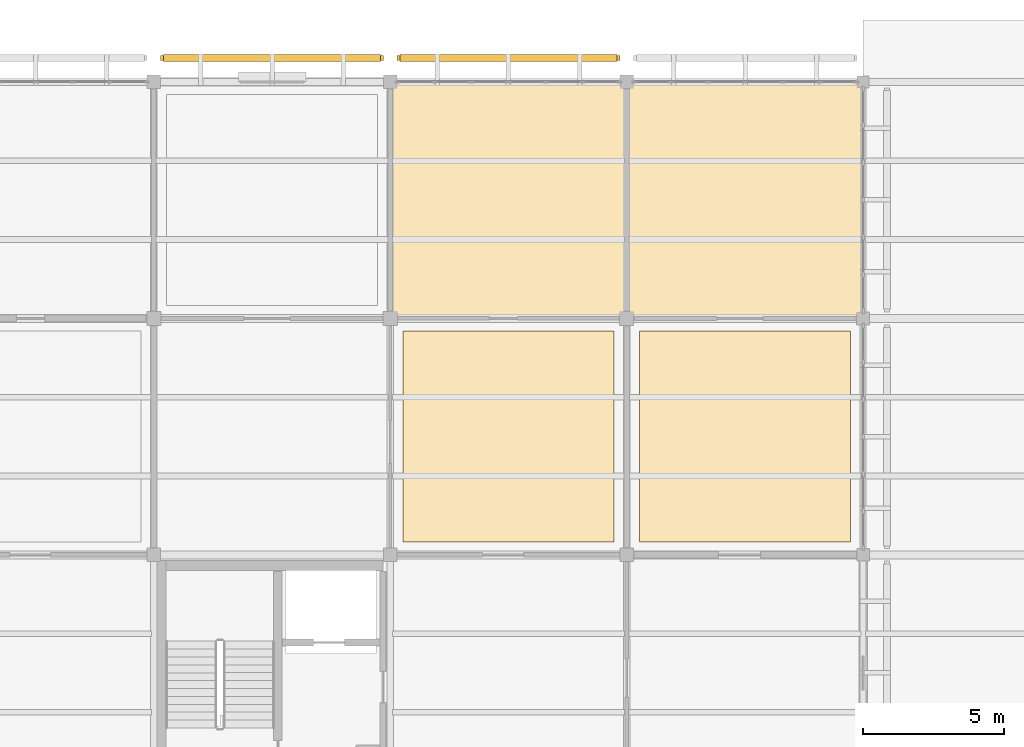
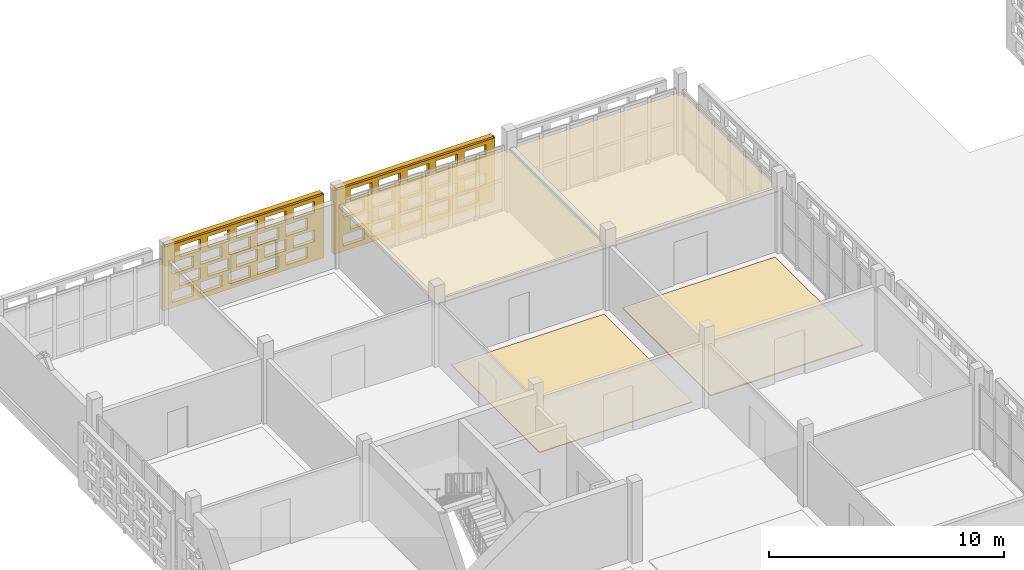
# One storey, part 135 of 166: 6 coverings, 2 shading devices, 40 openings.
"""IFC4 building model written with IfcOpenShell, lengths in metres."""

from ifc_helpers import new_model, si_unit, direction, frame, frame_2d, origin, origin_2d, place, context, subcontext, project, spatial, rectangle, extrude, material, layer, layer_set, type_object, element, save


model = new_model("IFC4")

# Units and contexts
model_context = context("Model", 3, precision=1e-05, world=origin(), true_north=direction((0.0, 1.0)))
body_context = subcontext(model_context, "Body", "Model", "MODEL_VIEW")
ifc_project = project(units=[si_unit("LENGTHUNIT", "METRE"), si_unit("AREAUNIT", "SQUARE_METRE"), si_unit("VOLUMEUNIT", "CUBIC_METRE"), si_unit("PLANEANGLEUNIT", "RADIAN"), si_unit("MASSUNIT", "GRAM", prefix="KILO")], contexts=[model_context])

# Site, building, storey
site_placement = place(None, origin())
site = spatial("IfcSite", under=ifc_project, at=site_placement, CompositionType="ELEMENT")
building_placement = place(site_placement, origin())
building = spatial("IfcBuilding", under=site, at=building_placement, Name="Varnapada Polytechnic", CompositionType="ELEMENT")
storey_placement = place(building_placement, frame((0.0, 0.0, 9.60009765625)))
storey = spatial("IfcBuildingStorey", under=building, at=storey_placement, Name="L02", CompositionType="ELEMENT", Elevation=9.60009765625)

# Coverings
ifc_material_1 = material(Name="Anti-Static Raised Laboratory Flooring")
ifc_layer_1 = layer(ifc_material_1, 0.06005859375)
ifc_layer_set_1 = layer_set([ifc_layer_1], Name="Anti-Static Raised Laboratory Flooring")
covering_type_1 = type_object("IfcCoveringType", Name="Floor Finish FLR-02", PredefinedType="FLOORING", material=ifc_layer_set_1)
covering_1_placement = place(storey_placement, frame((29.39990234375, 113.39990234375, -0.000244140625), z_axis=(0.0, 0.0, 1.0), x_axis=(1.0, 0.0, 0.0)))
element("IfcCovering", 1, at=covering_1_placement, inside=storey, type_object=covering_type_1, Name="L02 floor finish panel (4,14)", PredefinedType="FLOORING", context=body_context, shape_type="SweptSolid", body=[
    extrude(rectangle(XDim=7.5, YDim=7.5, at=origin_2d()), origin(), (0.0, 0.0, 1.0), 0.06005859375),
])
ifc_material_2 = material(Name="Acoustic Rubber Seminar Flooring")
ifc_layer_2 = layer(ifc_material_2, 0.0400390625)
ifc_layer_set_2 = layer_set([ifc_layer_2], Name="Acoustic Rubber Seminar Flooring")
covering_type_2 = type_object("IfcCoveringType", Name="Floor Finish FLR-06", PredefinedType="FLOORING", material=ifc_layer_set_2)
covering_2_placement = place(storey_placement, frame((21.0, 113.39990234375, 0.0), z_axis=(0.0, 0.0, 1.0), x_axis=(1.0, 0.0, 0.0)))
element("IfcCovering", 2, at=covering_2_placement, inside=storey, type_object=covering_type_2, Name="L02 floor finish panel (3,14)", PredefinedType="FLOORING", context=body_context, shape_type="SweptSolid", body=[
    extrude(rectangle(XDim=7.5, YDim=7.5, at=origin_2d()), origin(), (0.0, 0.0, 1.0), 0.0400390625),
])
ifc_material_3 = material(Name="Perforated Timber Slatted Baffle Ceiling", Category="wood")
ifc_layer_3 = layer(ifc_material_3, 0.050048828125)
ifc_layer_set_3 = layer_set([ifc_layer_3], Name="Perforated Timber Slatted Baffle Ceiling")
covering_type_3 = type_object("IfcCoveringType", Name="Suspended Ceiling CLG-02", PredefinedType="CEILING", material=ifc_layer_set_3)
for number, where, z_axis, x_axis, name in (
    (3, (21.0, 121.800048828125, 3.02490234375), (0.0, 0.0, 1.0), (1.0, 0.0, 0.0), "L02 suspended acoustic ceiling (3,15)"),
    (4, (29.39990234375, 121.800048828125, 3.02490234375), (0.0, 0.0, 1.0), (1.0, 0.0, 0.0), "L02 suspended acoustic ceiling (4,15)"),
):
    element("IfcCovering", number, at=place(storey_placement, frame(where, z_axis=z_axis, x_axis=x_axis)), inside=storey, type_object=covering_type_3, Name=name, PredefinedType="CEILING", context=body_context, shape_type="SweptSolid", body=[
        extrude(rectangle(XDim=8.419921875, YDim=8.419921875, at=origin_2d()), origin(), (0.0, 0.0, 1.0), 0.050048828125),
    ])

# Covering, openings
ifc_material_4 = material(Name="Earth-toned architectural terracotta screen block", Category="masonry")
ifc_layer_4 = layer(ifc_material_4, 0.1201171875)
ifc_layer_set_4 = layer_set([ifc_layer_4], Name="Earth-toned architectural terracotta screen block")
covering_type_4 = type_object("IfcCoveringType", Name="Terracotta Screen Cladding CLD-01", PredefinedType="CLADDING", material=ifc_layer_set_4)
covering_3_placement = place(storey_placement, frame((8.639892578125, 126.85009765625, 0.0), z_axis=(0.0, 0.0, 1.0), x_axis=(1.0, 0.0, 0.0)))
covering_3 = element("IfcCovering", 5, at=covering_3_placement, inside=storey, type_object=covering_type_4, Name="L02 perforated terracotta block screen (19)", PredefinedType="CLADDING", context=body_context, shape_type="SweptSolid", body=[
    extrude(rectangle(XDim=7.920166015625, YDim=0.179931640625, at=frame_2d((3.9599609375, 0.0))), origin(), (0.0, 0.0, 1.0), 3.31982421875),
])
opening_1_placement = place(covering_3_placement, frame((0.4599609375, 0.0, 0.265625)))
element("IfcOpeningElement", 6, at=opening_1_placement, cuts=covering_3, Name="Screen perforation TBS-L02-018.1", PredefinedType="OPENING", context=body_context, shape_type="SweptSolid", body=[
    extrude(rectangle(XDim=1.0400390625, YDim=0.5810546875, at=frame_2d((0.52001953125, 0.29052734375))), frame((0.0, 0.099853515625, 0.0), z_axis=(0.0, -1.0, 0.0), x_axis=(1.0, 0.0, 0.0)), (0.0, 0.0, 1.0), 0.199951171875),
])
opening_2_placement = place(covering_3_placement, frame((1.860107421875, 0.0, 0.265625)))
element("IfcOpeningElement", 7, at=opening_2_placement, cuts=covering_3, Name="Screen perforation TBS-L02-018.2", PredefinedType="OPENING", context=body_context, shape_type="SweptSolid", body=[
    extrude(rectangle(XDim=1.0400390625, YDim=0.5810546875, at=frame_2d((0.52001953125, 0.29052734375))), frame((0.0, 0.099853515625, 0.0), z_axis=(0.0, -1.0, 0.0), x_axis=(1.0, 0.0, 0.0)), (0.0, 0.0, 1.0), 0.199951171875),
])
opening_3_placement = place(covering_3_placement, frame((3.260009765625, 0.0, 0.265625)))
element("IfcOpeningElement", 8, at=opening_3_placement, cuts=covering_3, Name="Screen perforation TBS-L02-018.3", PredefinedType="OPENING", context=body_context, shape_type="SweptSolid", body=[
    extrude(rectangle(XDim=1.0400390625, YDim=0.5810546875, at=frame_2d((0.52001953125, 0.29052734375))), frame((0.0, 0.099853515625, 0.0), z_axis=(0.0, -1.0, 0.0), x_axis=(1.0, 0.0, 0.0)), (0.0, 0.0, 1.0), 0.199951171875),
])
opening_4_placement = place(covering_3_placement, frame((4.659912109375, 0.0, 0.265625)))
element("IfcOpeningElement", 9, at=opening_4_placement, cuts=covering_3, Name="Screen perforation TBS-L02-018.4", PredefinedType="OPENING", context=body_context, shape_type="SweptSolid", body=[
    extrude(rectangle(XDim=1.0400390625, YDim=0.5810546875, at=frame_2d((0.52001953125, 0.29052734375))), frame((0.0, 0.099853515625, 0.0), z_axis=(0.0, -1.0, 0.0), x_axis=(1.0, 0.0, 0.0)), (0.0, 0.0, 1.0), 0.199951171875),
])
opening_5_placement = place(covering_3_placement, frame((6.06005859375, 0.0, 0.265625)))
element("IfcOpeningElement", 10, at=opening_5_placement, cuts=covering_3, Name="Screen perforation TBS-L02-018.5", PredefinedType="OPENING", context=body_context, shape_type="SweptSolid", body=[
    extrude(rectangle(XDim=1.0400390625, YDim=0.5810546875, at=frame_2d((0.52001953125, 0.29052734375))), frame((0.0, 0.099853515625, 0.0), z_axis=(0.0, -1.0, 0.0), x_axis=(1.0, 0.0, 0.0)), (0.0, 0.0, 1.0), 0.199951171875),
])
opening_6_placement = place(covering_3_placement, frame((0.820068359375, 0.0, 1.0126953125)))
element("IfcOpeningElement", 11, at=opening_6_placement, cuts=covering_3, Name="Screen perforation TBS-L02-018.6", PredefinedType="OPENING", context=body_context, shape_type="SweptSolid", body=[
    extrude(rectangle(XDim=1.0400390625, YDim=0.5810546875, at=frame_2d((0.52001953125, 0.29052734375))), frame((0.0, 0.099853515625, 0.0), z_axis=(0.0, -1.0, 0.0), x_axis=(1.0, 0.0, 0.0)), (0.0, 0.0, 1.0), 0.199951171875),
])
opening_7_placement = place(covering_3_placement, frame((2.219970703125, 0.0, 1.0126953125)))
element("IfcOpeningElement", 12, at=opening_7_placement, cuts=covering_3, Name="Screen perforation TBS-L02-018.7", PredefinedType="OPENING", context=body_context, shape_type="SweptSolid", body=[
    extrude(rectangle(XDim=1.0400390625, YDim=0.5810546875, at=frame_2d((0.52001953125, 0.29052734375))), frame((0.0, 0.099853515625, 0.0), z_axis=(0.0, -1.0, 0.0), x_axis=(1.0, 0.0, 0.0)), (0.0, 0.0, 1.0), 0.199951171875),
])
opening_8_placement = place(covering_3_placement, frame((3.6201171875, 0.0, 1.0126953125)))
element("IfcOpeningElement", 13, at=opening_8_placement, cuts=covering_3, Name="Screen perforation TBS-L02-018.8", PredefinedType="OPENING", context=body_context, shape_type="SweptSolid", body=[
    extrude(rectangle(XDim=1.0400390625, YDim=0.5810546875, at=frame_2d((0.52001953125, 0.29052734375))), frame((0.0, 0.099853515625, 0.0), z_axis=(0.0, -1.0, 0.0), x_axis=(1.0, 0.0, 0.0)), (0.0, 0.0, 1.0), 0.199951171875),
])
opening_9_placement = place(covering_3_placement, frame((5.02001953125, 0.0, 1.0126953125)))
element("IfcOpeningElement", 14, at=opening_9_placement, cuts=covering_3, Name="Screen perforation TBS-L02-018.9", PredefinedType="OPENING", context=body_context, shape_type="SweptSolid", body=[
    extrude(rectangle(XDim=1.0400390625, YDim=0.5810546875, at=frame_2d((0.52001953125, 0.29052734375))), frame((0.0, 0.099853515625, 0.0), z_axis=(0.0, -1.0, 0.0), x_axis=(1.0, 0.0, 0.0)), (0.0, 0.0, 1.0), 0.199951171875),
])
opening_10_placement = place(covering_3_placement, frame((6.419921875, 0.0, 1.0126953125)))
element("IfcOpeningElement", 15, at=opening_10_placement, cuts=covering_3, Name="Screen perforation TBS-L02-018.10", PredefinedType="OPENING", context=body_context, shape_type="SweptSolid", body=[
    extrude(rectangle(XDim=1.0400390625, YDim=0.5810546875, at=frame_2d((0.52001953125, 0.29052734375))), frame((0.0, 0.099853515625, 0.0), z_axis=(0.0, -1.0, 0.0), x_axis=(1.0, 0.0, 0.0)), (0.0, 0.0, 1.0), 0.199951171875),
])
opening_11_placement = place(covering_3_placement, frame((0.4599609375, 0.0, 1.759521484375)))
element("IfcOpeningElement", 16, at=opening_11_placement, cuts=covering_3, Name="Screen perforation TBS-L02-018.11", PredefinedType="OPENING", context=body_context, shape_type="SweptSolid", body=[
    extrude(rectangle(XDim=1.0400390625, YDim=0.5810546875, at=frame_2d((0.52001953125, 0.29052734375))), frame((0.0, 0.099853515625, 0.0), z_axis=(0.0, -1.0, 0.0), x_axis=(1.0, 0.0, 0.0)), (0.0, 0.0, 1.0), 0.199951171875),
])
opening_12_placement = place(covering_3_placement, frame((1.860107421875, 0.0, 1.759521484375)))
element("IfcOpeningElement", 17, at=opening_12_placement, cuts=covering_3, Name="Screen perforation TBS-L02-018.12", PredefinedType="OPENING", context=body_context, shape_type="SweptSolid", body=[
    extrude(rectangle(XDim=1.0400390625, YDim=0.5810546875, at=frame_2d((0.52001953125, 0.29052734375))), frame((0.0, 0.099853515625, 0.0), z_axis=(0.0, -1.0, 0.0), x_axis=(1.0, 0.0, 0.0)), (0.0, 0.0, 1.0), 0.199951171875),
])
opening_13_placement = place(covering_3_placement, frame((3.260009765625, 0.0, 1.759521484375)))
element("IfcOpeningElement", 18, at=opening_13_placement, cuts=covering_3, Name="Screen perforation TBS-L02-018.13", PredefinedType="OPENING", context=body_context, shape_type="SweptSolid", body=[
    extrude(rectangle(XDim=1.0400390625, YDim=0.5810546875, at=frame_2d((0.52001953125, 0.29052734375))), frame((0.0, 0.099853515625, 0.0), z_axis=(0.0, -1.0, 0.0), x_axis=(1.0, 0.0, 0.0)), (0.0, 0.0, 1.0), 0.199951171875),
])
opening_14_placement = place(covering_3_placement, frame((4.659912109375, 0.0, 1.759521484375)))
element("IfcOpeningElement", 19, at=opening_14_placement, cuts=covering_3, Name="Screen perforation TBS-L02-018.14", PredefinedType="OPENING", context=body_context, shape_type="SweptSolid", body=[
    extrude(rectangle(XDim=1.0400390625, YDim=0.5810546875, at=frame_2d((0.52001953125, 0.29052734375))), frame((0.0, 0.099853515625, 0.0), z_axis=(0.0, -1.0, 0.0), x_axis=(1.0, 0.0, 0.0)), (0.0, 0.0, 1.0), 0.199951171875),
])
opening_15_placement = place(covering_3_placement, frame((6.06005859375, 0.0, 1.759521484375)))
element("IfcOpeningElement", 20, at=opening_15_placement, cuts=covering_3, Name="Screen perforation TBS-L02-018.15", PredefinedType="OPENING", context=body_context, shape_type="SweptSolid", body=[
    extrude(rectangle(XDim=1.0400390625, YDim=0.5810546875, at=frame_2d((0.52001953125, 0.29052734375))), frame((0.0, 0.099853515625, 0.0), z_axis=(0.0, -1.0, 0.0), x_axis=(1.0, 0.0, 0.0)), (0.0, 0.0, 1.0), 0.199951171875),
])
opening_16_placement = place(covering_3_placement, frame((0.820068359375, 0.0, 2.506591796875)))
element("IfcOpeningElement", 21, at=opening_16_placement, cuts=covering_3, Name="Screen perforation TBS-L02-018.16", PredefinedType="OPENING", context=body_context, shape_type="SweptSolid", body=[
    extrude(rectangle(XDim=1.0400390625, YDim=0.5810546875, at=frame_2d((0.52001953125, 0.29052734375))), frame((0.0, 0.099853515625, 0.0), z_axis=(0.0, -1.0, 0.0), x_axis=(1.0, 0.0, 0.0)), (0.0, 0.0, 1.0), 0.199951171875),
])
opening_17_placement = place(covering_3_placement, frame((2.219970703125, 0.0, 2.506591796875)))
element("IfcOpeningElement", 22, at=opening_17_placement, cuts=covering_3, Name="Screen perforation TBS-L02-018.17", PredefinedType="OPENING", context=body_context, shape_type="SweptSolid", body=[
    extrude(rectangle(XDim=1.0400390625, YDim=0.5810546875, at=frame_2d((0.52001953125, 0.29052734375))), frame((0.0, 0.099853515625, 0.0), z_axis=(0.0, -1.0, 0.0), x_axis=(1.0, 0.0, 0.0)), (0.0, 0.0, 1.0), 0.199951171875),
])
opening_18_placement = place(covering_3_placement, frame((3.6201171875, 0.0, 2.506591796875)))
element("IfcOpeningElement", 23, at=opening_18_placement, cuts=covering_3, Name="Screen perforation TBS-L02-018.18", PredefinedType="OPENING", context=body_context, shape_type="SweptSolid", body=[
    extrude(rectangle(XDim=1.0400390625, YDim=0.5810546875, at=frame_2d((0.52001953125, 0.29052734375))), frame((0.0, 0.099853515625, 0.0), z_axis=(0.0, -1.0, 0.0), x_axis=(1.0, 0.0, 0.0)), (0.0, 0.0, 1.0), 0.199951171875),
])
opening_19_placement = place(covering_3_placement, frame((5.02001953125, 0.0, 2.506591796875)))
element("IfcOpeningElement", 24, at=opening_19_placement, cuts=covering_3, Name="Screen perforation TBS-L02-018.19", PredefinedType="OPENING", context=body_context, shape_type="SweptSolid", body=[
    extrude(rectangle(XDim=1.0400390625, YDim=0.5810546875, at=frame_2d((0.52001953125, 0.29052734375))), frame((0.0, 0.099853515625, 0.0), z_axis=(0.0, -1.0, 0.0), x_axis=(1.0, 0.0, 0.0)), (0.0, 0.0, 1.0), 0.199951171875),
])
opening_20_placement = place(covering_3_placement, frame((6.419921875, 0.0, 2.506591796875)))
element("IfcOpeningElement", 25, at=opening_20_placement, cuts=covering_3, Name="Screen perforation TBS-L02-018.20", PredefinedType="OPENING", context=body_context, shape_type="SweptSolid", body=[
    extrude(rectangle(XDim=1.0400390625, YDim=0.5810546875, at=frame_2d((0.52001953125, 0.29052734375))), frame((0.0, 0.099853515625, 0.0), z_axis=(0.0, -1.0, 0.0), x_axis=(1.0, 0.0, 0.0)), (0.0, 0.0, 1.0), 0.199951171875),
])

covering_4_placement = place(storey_placement, frame((17.0400390625, 126.85009765625, 0.0), z_axis=(0.0, 0.0, 1.0), x_axis=(1.0, 0.0, 0.0)))
covering_4 = element("IfcCovering", 26, at=covering_4_placement, inside=storey, type_object=covering_type_4, Name="L02 perforated terracotta block screen (21)", PredefinedType="CLADDING", context=body_context, shape_type="SweptSolid", body=[
    extrude(rectangle(XDim=7.919921875, YDim=0.179931640625, at=frame_2d((3.9599609375, 0.0))), origin(), (0.0, 0.0, 1.0), 3.31982421875),
])
opening_21_placement = place(covering_4_placement, frame((0.4599609375, 0.0, 0.265625)))
element("IfcOpeningElement", 27, at=opening_21_placement, cuts=covering_4, Name="Screen perforation TBS-L02-020.1", PredefinedType="OPENING", context=body_context, shape_type="SweptSolid", body=[
    extrude(rectangle(XDim=1.0400390625, YDim=0.5810546875, at=frame_2d((0.52001953125, 0.29052734375))), frame((0.0, 0.099853515625, 0.0), z_axis=(0.0, -1.0, 0.0), x_axis=(1.0, 0.0, 0.0)), (0.0, 0.0, 1.0), 0.199951171875),
])
opening_22_placement = place(covering_4_placement, frame((1.860107421875, 0.0, 0.265625)))
element("IfcOpeningElement", 28, at=opening_22_placement, cuts=covering_4, Name="Screen perforation TBS-L02-020.2", PredefinedType="OPENING", context=body_context, shape_type="SweptSolid", body=[
    extrude(rectangle(XDim=1.0400390625, YDim=0.5810546875, at=frame_2d((0.52001953125, 0.29052734375))), frame((0.0, 0.099853515625, 0.0), z_axis=(0.0, -1.0, 0.0), x_axis=(1.0, 0.0, 0.0)), (0.0, 0.0, 1.0), 0.199951171875),
])
opening_23_placement = place(covering_4_placement, frame((3.260009765625, 0.0, 0.265625)))
element("IfcOpeningElement", 29, at=opening_23_placement, cuts=covering_4, Name="Screen perforation TBS-L02-020.3", PredefinedType="OPENING", context=body_context, shape_type="SweptSolid", body=[
    extrude(rectangle(XDim=1.0400390625, YDim=0.5810546875, at=frame_2d((0.52001953125, 0.29052734375))), frame((0.0, 0.099853515625, 0.0), z_axis=(0.0, -1.0, 0.0), x_axis=(1.0, 0.0, 0.0)), (0.0, 0.0, 1.0), 0.199951171875),
])
opening_24_placement = place(covering_4_placement, frame((4.659912109375, 0.0, 0.265625)))
element("IfcOpeningElement", 30, at=opening_24_placement, cuts=covering_4, Name="Screen perforation TBS-L02-020.4", PredefinedType="OPENING", context=body_context, shape_type="SweptSolid", body=[
    extrude(rectangle(XDim=1.0400390625, YDim=0.5810546875, at=frame_2d((0.52001953125, 0.29052734375))), frame((0.0, 0.099853515625, 0.0), z_axis=(0.0, -1.0, 0.0), x_axis=(1.0, 0.0, 0.0)), (0.0, 0.0, 1.0), 0.199951171875),
])
opening_25_placement = place(covering_4_placement, frame((6.06005859375, 0.0, 0.265625)))
element("IfcOpeningElement", 31, at=opening_25_placement, cuts=covering_4, Name="Screen perforation TBS-L02-020.5", PredefinedType="OPENING", context=body_context, shape_type="SweptSolid", body=[
    extrude(rectangle(XDim=1.0400390625, YDim=0.5810546875, at=frame_2d((0.52001953125, 0.29052734375))), frame((0.0, 0.099853515625, 0.0), z_axis=(0.0, -1.0, 0.0), x_axis=(1.0, 0.0, 0.0)), (0.0, 0.0, 1.0), 0.199951171875),
])
opening_26_placement = place(covering_4_placement, frame((0.820068359375, 0.0, 1.0126953125)))
element("IfcOpeningElement", 32, at=opening_26_placement, cuts=covering_4, Name="Screen perforation TBS-L02-020.6", PredefinedType="OPENING", context=body_context, shape_type="SweptSolid", body=[
    extrude(rectangle(XDim=1.0400390625, YDim=0.5810546875, at=frame_2d((0.52001953125, 0.29052734375))), frame((0.0, 0.099853515625, 0.0), z_axis=(0.0, -1.0, 0.0), x_axis=(1.0, 0.0, 0.0)), (0.0, 0.0, 1.0), 0.199951171875),
])
opening_27_placement = place(covering_4_placement, frame((2.219970703125, 0.0, 1.0126953125)))
element("IfcOpeningElement", 33, at=opening_27_placement, cuts=covering_4, Name="Screen perforation TBS-L02-020.7", PredefinedType="OPENING", context=body_context, shape_type="SweptSolid", body=[
    extrude(rectangle(XDim=1.0400390625, YDim=0.5810546875, at=frame_2d((0.52001953125, 0.29052734375))), frame((0.0, 0.099853515625, 0.0), z_axis=(0.0, -1.0, 0.0), x_axis=(1.0, 0.0, 0.0)), (0.0, 0.0, 1.0), 0.199951171875),
])
opening_28_placement = place(covering_4_placement, frame((3.6201171875, 0.0, 1.0126953125)))
element("IfcOpeningElement", 34, at=opening_28_placement, cuts=covering_4, Name="Screen perforation TBS-L02-020.8", PredefinedType="OPENING", context=body_context, shape_type="SweptSolid", body=[
    extrude(rectangle(XDim=1.0400390625, YDim=0.5810546875, at=frame_2d((0.52001953125, 0.29052734375))), frame((0.0, 0.099853515625, 0.0), z_axis=(0.0, -1.0, 0.0), x_axis=(1.0, 0.0, 0.0)), (0.0, 0.0, 1.0), 0.199951171875),
])
opening_29_placement = place(covering_4_placement, frame((5.02001953125, 0.0, 1.0126953125)))
element("IfcOpeningElement", 35, at=opening_29_placement, cuts=covering_4, Name="Screen perforation TBS-L02-020.9", PredefinedType="OPENING", context=body_context, shape_type="SweptSolid", body=[
    extrude(rectangle(XDim=1.0400390625, YDim=0.5810546875, at=frame_2d((0.52001953125, 0.29052734375))), frame((0.0, 0.099853515625, 0.0), z_axis=(0.0, -1.0, 0.0), x_axis=(1.0, 0.0, 0.0)), (0.0, 0.0, 1.0), 0.199951171875),
])
opening_30_placement = place(covering_4_placement, frame((6.419921875, 0.0, 1.0126953125)))
element("IfcOpeningElement", 36, at=opening_30_placement, cuts=covering_4, Name="Screen perforation TBS-L02-020.10", PredefinedType="OPENING", context=body_context, shape_type="SweptSolid", body=[
    extrude(rectangle(XDim=1.0400390625, YDim=0.5810546875, at=frame_2d((0.52001953125, 0.29052734375))), frame((0.0, 0.099853515625, 0.0), z_axis=(0.0, -1.0, 0.0), x_axis=(1.0, 0.0, 0.0)), (0.0, 0.0, 1.0), 0.199951171875),
])
opening_31_placement = place(covering_4_placement, frame((0.4599609375, 0.0, 1.759521484375)))
element("IfcOpeningElement", 37, at=opening_31_placement, cuts=covering_4, Name="Screen perforation TBS-L02-020.11", PredefinedType="OPENING", context=body_context, shape_type="SweptSolid", body=[
    extrude(rectangle(XDim=1.0400390625, YDim=0.5810546875, at=frame_2d((0.52001953125, 0.29052734375))), frame((0.0, 0.099853515625, 0.0), z_axis=(0.0, -1.0, 0.0), x_axis=(1.0, 0.0, 0.0)), (0.0, 0.0, 1.0), 0.199951171875),
])
opening_32_placement = place(covering_4_placement, frame((1.860107421875, 0.0, 1.759521484375)))
element("IfcOpeningElement", 38, at=opening_32_placement, cuts=covering_4, Name="Screen perforation TBS-L02-020.12", PredefinedType="OPENING", context=body_context, shape_type="SweptSolid", body=[
    extrude(rectangle(XDim=1.0400390625, YDim=0.5810546875, at=frame_2d((0.52001953125, 0.29052734375))), frame((0.0, 0.099853515625, 0.0), z_axis=(0.0, -1.0, 0.0), x_axis=(1.0, 0.0, 0.0)), (0.0, 0.0, 1.0), 0.199951171875),
])
opening_33_placement = place(covering_4_placement, frame((3.260009765625, 0.0, 1.759521484375)))
element("IfcOpeningElement", 39, at=opening_33_placement, cuts=covering_4, Name="Screen perforation TBS-L02-020.13", PredefinedType="OPENING", context=body_context, shape_type="SweptSolid", body=[
    extrude(rectangle(XDim=1.0400390625, YDim=0.5810546875, at=frame_2d((0.52001953125, 0.29052734375))), frame((0.0, 0.099853515625, 0.0), z_axis=(0.0, -1.0, 0.0), x_axis=(1.0, 0.0, 0.0)), (0.0, 0.0, 1.0), 0.199951171875),
])
opening_34_placement = place(covering_4_placement, frame((4.659912109375, 0.0, 1.759521484375)))
element("IfcOpeningElement", 40, at=opening_34_placement, cuts=covering_4, Name="Screen perforation TBS-L02-020.14", PredefinedType="OPENING", context=body_context, shape_type="SweptSolid", body=[
    extrude(rectangle(XDim=1.0400390625, YDim=0.5810546875, at=frame_2d((0.52001953125, 0.29052734375))), frame((0.0, 0.099853515625, 0.0), z_axis=(0.0, -1.0, 0.0), x_axis=(1.0, 0.0, 0.0)), (0.0, 0.0, 1.0), 0.199951171875),
])
opening_35_placement = place(covering_4_placement, frame((6.06005859375, 0.0, 1.759521484375)))
element("IfcOpeningElement", 41, at=opening_35_placement, cuts=covering_4, Name="Screen perforation TBS-L02-020.15", PredefinedType="OPENING", context=body_context, shape_type="SweptSolid", body=[
    extrude(rectangle(XDim=1.0400390625, YDim=0.5810546875, at=frame_2d((0.52001953125, 0.29052734375))), frame((0.0, 0.099853515625, 0.0), z_axis=(0.0, -1.0, 0.0), x_axis=(1.0, 0.0, 0.0)), (0.0, 0.0, 1.0), 0.199951171875),
])
opening_36_placement = place(covering_4_placement, frame((0.820068359375, 0.0, 2.506591796875)))
element("IfcOpeningElement", 42, at=opening_36_placement, cuts=covering_4, Name="Screen perforation TBS-L02-020.16", PredefinedType="OPENING", context=body_context, shape_type="SweptSolid", body=[
    extrude(rectangle(XDim=1.0400390625, YDim=0.5810546875, at=frame_2d((0.52001953125, 0.29052734375))), frame((0.0, 0.099853515625, 0.0), z_axis=(0.0, -1.0, 0.0), x_axis=(1.0, 0.0, 0.0)), (0.0, 0.0, 1.0), 0.199951171875),
])
opening_37_placement = place(covering_4_placement, frame((2.219970703125, 0.0, 2.506591796875)))
element("IfcOpeningElement", 43, at=opening_37_placement, cuts=covering_4, Name="Screen perforation TBS-L02-020.17", PredefinedType="OPENING", context=body_context, shape_type="SweptSolid", body=[
    extrude(rectangle(XDim=1.0400390625, YDim=0.5810546875, at=frame_2d((0.52001953125, 0.29052734375))), frame((0.0, 0.099853515625, 0.0), z_axis=(0.0, -1.0, 0.0), x_axis=(1.0, 0.0, 0.0)), (0.0, 0.0, 1.0), 0.199951171875),
])
opening_38_placement = place(covering_4_placement, frame((3.6201171875, 0.0, 2.506591796875)))
element("IfcOpeningElement", 44, at=opening_38_placement, cuts=covering_4, Name="Screen perforation TBS-L02-020.18", PredefinedType="OPENING", context=body_context, shape_type="SweptSolid", body=[
    extrude(rectangle(XDim=1.0400390625, YDim=0.5810546875, at=frame_2d((0.52001953125, 0.29052734375))), frame((0.0, 0.099853515625, 0.0), z_axis=(0.0, -1.0, 0.0), x_axis=(1.0, 0.0, 0.0)), (0.0, 0.0, 1.0), 0.199951171875),
])
opening_39_placement = place(covering_4_placement, frame((5.02001953125, 0.0, 2.506591796875)))
element("IfcOpeningElement", 45, at=opening_39_placement, cuts=covering_4, Name="Screen perforation TBS-L02-020.19", PredefinedType="OPENING", context=body_context, shape_type="SweptSolid", body=[
    extrude(rectangle(XDim=1.0400390625, YDim=0.5810546875, at=frame_2d((0.52001953125, 0.29052734375))), frame((0.0, 0.099853515625, 0.0), z_axis=(0.0, -1.0, 0.0), x_axis=(1.0, 0.0, 0.0)), (0.0, 0.0, 1.0), 0.199951171875),
])
opening_40_placement = place(covering_4_placement, frame((6.419921875, 0.0, 2.506591796875)))
element("IfcOpeningElement", 46, at=opening_40_placement, cuts=covering_4, Name="Screen perforation TBS-L02-020.20", PredefinedType="OPENING", context=body_context, shape_type="SweptSolid", body=[
    extrude(rectangle(XDim=1.0400390625, YDim=0.5810546875, at=frame_2d((0.52001953125, 0.29052734375))), frame((0.0, 0.099853515625, 0.0), z_axis=(0.0, -1.0, 0.0), x_axis=(1.0, 0.0, 0.0)), (0.0, 0.0, 1.0), 0.199951171875),
])

# Shading devices
ifc_layer_5 = layer(ifc_material_4, 0.179931640625)
ifc_layer_set_5 = layer_set([ifc_layer_5], Name="Earth-toned architectural terracotta screen block")
shading_device_type = type_object("IfcShadingDeviceType", Name="Terracotta Screen SCR-01", PredefinedType="USERDEFINED", material=ifc_layer_set_5)
for number, where, z_axis, x_axis, name in (
    (47, (12.60009765625, 126.85009765625, 3.309814453125), (0.0, 0.0, 1.0), (1.0, 0.0, 0.0), "L02 perforated terracotta screen hood 248"),
    (48, (21.0, 126.85009765625, 3.309814453125), (0.0, 0.0, 1.0), (1.0, 0.0, 0.0), "L02 perforated terracotta screen hood 250"),
):
    element("IfcShadingDevice", number, at=place(storey_placement, frame(where, z_axis=z_axis, x_axis=x_axis)), inside=storey, type_object=shading_device_type, Name=name, ObjectType="SCREEN", PredefinedType="USERDEFINED", context=body_context, shape_type="SweptSolid", body=[
        extrude(rectangle(XDim=7.719970703125, YDim=0.239990234375, at=origin_2d()), origin(), (0.0, 0.0, 1.0), 0.10009765625),
    ])

save(model, "model.ifc")
